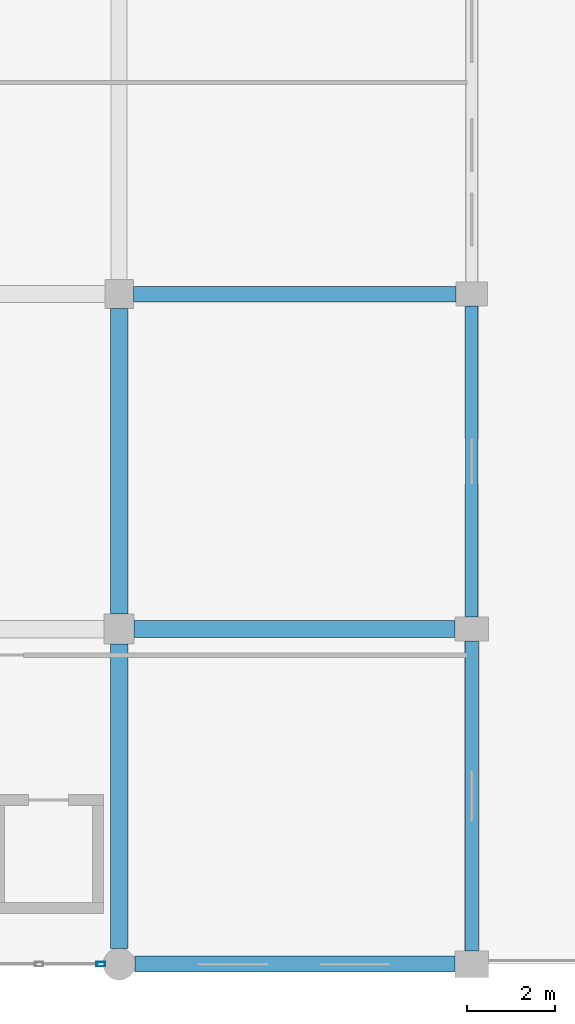
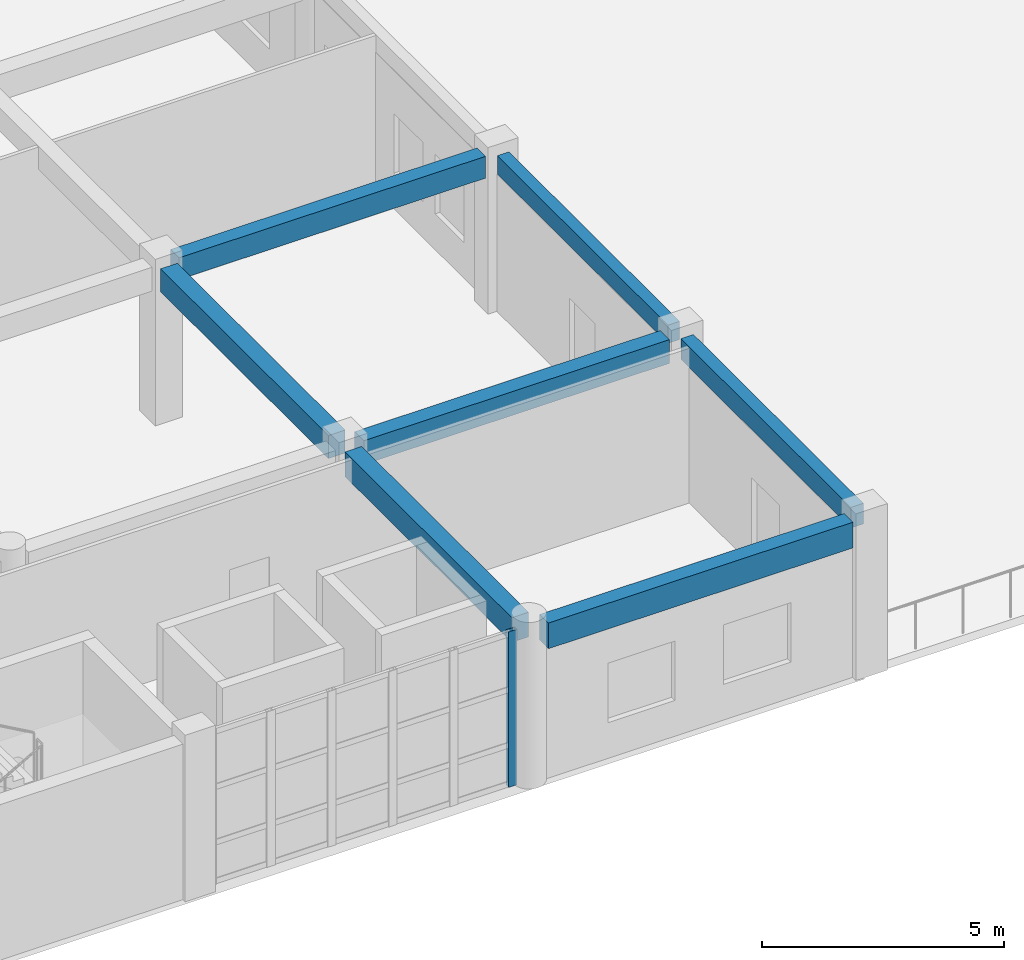
# One storey, part 120 of 195: 7 beams, 1 member, 1 element without a shape of its own.
"""IFC4 building model written with IfcOpenShell, lengths in metres."""

from ifc_helpers import new_model, si_unit, direction, frame, origin, origin_2d, place, context, subcontext, project, spatial, rectangle, hollow_rectangle, extrude, material, material_profile, profile_set, type_object, element, aggregate, save


model = new_model("IFC4")

# Units and contexts
model_context = context("Model", 3, precision=1e-05, world=origin(), true_north=direction((0.0, 1.0)))
body_context = subcontext(model_context, "Body", "Model", "MODEL_VIEW")
ifc_project = project(units=[si_unit("LENGTHUNIT", "METRE"), si_unit("AREAUNIT", "SQUARE_METRE"), si_unit("VOLUMEUNIT", "CUBIC_METRE"), si_unit("PLANEANGLEUNIT", "RADIAN"), si_unit("MASSUNIT", "GRAM", prefix="KILO")], contexts=[model_context])

# Site, building, storey
site_placement = place(None, origin())
site = spatial("IfcSite", under=ifc_project, at=site_placement, CompositionType="ELEMENT")
building_placement = place(site_placement, origin())
building = spatial("IfcBuilding", under=site, at=building_placement, Name="Kharva Crest Polytechnic", CompositionType="ELEMENT")
storey_placement = place(building_placement, frame((0.0, 0.0, 9.0)))
storey = spatial("IfcBuildingStorey", under=building, at=storey_placement, Name="L02", CompositionType="ELEMENT", Elevation=9.0)

# Beams
ifc_material_1 = material(Name="Concrete C35/45", Category="concrete")
ifc_material_profile_1 = material_profile(ifc_material_1, rectangle(XDim=0.35009765625, YDim=0.550048828125, at=origin_2d()), Name="RECT 350 X 550")
ifc_profile_set_1 = profile_set([ifc_material_profile_1], Name="Concrete C35/45")
beam_type_1 = type_object("IfcBeamType", Name="BM-RC-350X550", PredefinedType="BEAM", material=ifc_profile_set_1)
beam_1_placement = place(storey_placement, frame((145.125, 15.199951171875, 3.64501953125), z_axis=(1.0, 0.0, 0.0), x_axis=(0.0, 1.0, 0.0)))
element("IfcBeam", 1, at=beam_1_placement, inside=storey, type_object=beam_type_1, Name="L02 Beam C/19-20", PredefinedType="BEAM", context=body_context, shape_type="SweptSolid", body=[
    extrude(rectangle(XDim=0.35009765625, YDim=0.550048828125, at=origin_2d()), origin(), (0.0, 0.0, 1.0), 7.31494140625),
])
ifc_material_profile_2 = material_profile(ifc_material_1, rectangle(XDim=0.3798828125, YDim=0.60009765625, at=origin_2d()), Name="RECT 380 X 600")
ifc_profile_set_2 = profile_set([ifc_material_profile_2], Name="Concrete C35/45")
beam_type_2 = type_object("IfcBeamType", Name="BM-RC-380X600", PredefinedType="BEAM", material=ifc_profile_set_2)
beam_2_placement = place(storey_placement, frame((145.139892578125, 7.60009765625, 3.6201171875), z_axis=(1.0, 0.0, 0.0), x_axis=(0.0, 1.0, 0.0)))
element("IfcBeam", 2, at=beam_2_placement, inside=storey, type_object=beam_type_2, Name="L02 Beam B/19-20", PredefinedType="BEAM", context=body_context, shape_type="SweptSolid", body=[
    extrude(rectangle(XDim=0.3798828125, YDim=0.60009765625, at=origin_2d()), origin(), (0.0, 0.0, 1.0), 7.28515625),
])
ifc_material_profile_3 = material_profile(ifc_material_1, rectangle(XDim=0.39990234375, YDim=0.580078125, at=origin_2d()), Name="RECT 400 X 580")
ifc_profile_set_3 = profile_set([ifc_material_profile_3], Name="Concrete C35/45")
beam_type_3 = type_object("IfcBeamType", Name="BM-RC-400X580", PredefinedType="BEAM", material=ifc_profile_set_3)
beam_3_placement = place(storey_placement, frame((144.800048828125, 7.93994140625, 3.6298828125), z_axis=(0.0, 1.0, 0.0), x_axis=(-1.0, 0.0, 0.0)))
element("IfcBeam", 3, at=beam_3_placement, inside=storey, type_object=beam_type_3, Name="L02 Girder 19/B-C", PredefinedType="BEAM", context=body_context, shape_type="SweptSolid", body=[
    extrude(rectangle(XDim=0.39990234375, YDim=0.580078125, at=origin_2d()), origin(), (0.0, 0.0, 1.0), 6.93505859375),
])
ifc_material_profile_4 = material_profile(ifc_material_1, rectangle(XDim=0.39990234375, YDim=0.6201171875, at=origin_2d()), Name="RECT 400 X 620")
ifc_profile_set_4 = profile_set([ifc_material_profile_4], Name="Concrete C35/45")
beam_type_4 = type_object("IfcBeamType", Name="BM-RC-400X620", PredefinedType="BEAM", material=ifc_profile_set_4)
beam_4_placement = place(storey_placement, frame((144.800048828125, 0.360107421875, 3.610107421875), z_axis=(0.0, 1.0, 0.0), x_axis=(-1.0, 0.0, 0.0)))
element("IfcBeam", 4, at=beam_4_placement, inside=storey, type_object=beam_type_4, Name="L02 Girder 19/A-B", PredefinedType="BEAM", context=body_context, shape_type="SweptSolid", body=[
    extrude(rectangle(XDim=0.39990234375, YDim=0.6201171875, at=origin_2d()), origin(), (0.0, 0.0, 1.0), 6.89990234375),
])

# Curtain wall, member
ifc_material_2 = material(Name="Tempered insulated glass", Category="glass")
curtain_wall_type = type_object("IfcCurtainWallType", Name="CW-SYS-REFECTORY", PredefinedType="USERDEFINED", material=ifc_material_2)
curtain_wall_placement = place(storey_placement, origin())
curtain_wall = element("IfcCurtainWall", 5, at=curtain_wall_placement, inside=storey, type_object=curtain_wall_type, Name="L02 Glazed Curtain Wall CW-095", ObjectType="CURTAIN WALL", PredefinedType="USERDEFINED")
ifc_material_3 = material(Name="Steel S355", Category="steel")
ifc_material_profile_5 = material_profile(ifc_material_3, hollow_rectangle(XDim=0.10009765625, YDim=0.199951171875, WallThickness=0.00634765625, at=origin_2d()), Name="RHS 200X100X6.3")
ifc_profile_set_5 = profile_set([ifc_material_profile_5], Name="Steel S355")
member_type = type_object("IfcMemberType", Name="CWM-RHS200X100", PredefinedType="MULLION", material=ifc_profile_set_5)
member_placement = place(storey_placement, frame((144.385009765625, 0.0, 0.0), z_axis=(0.0, 0.0, 1.0), x_axis=(0.0, 1.0, 0.0)))
member = element("IfcMember", 6, at=member_placement, type_object=member_type, Name="CW-095 mullion 6", PredefinedType="MULLION", context=body_context, shape_type="SweptSolid", body=[
    extrude(hollow_rectangle(XDim=0.10009765625, YDim=0.199951171875, WallThickness=0.00634765625, at=origin_2d()), origin(), (0.0, 0.0, 1.0), 3.919921875),
])
aggregate(curtain_wall, [member])

# Beams
ifc_material_profile_6 = material_profile(ifc_material_1, rectangle(XDim=0.280029296875, YDim=0.4599609375, at=origin_2d()), Name="RECT 280 X 460")
ifc_profile_set_6 = profile_set([ifc_material_profile_6], Name="Concrete C35/45")
beam_type_5 = type_object("IfcBeamType", Name="SP-RC-280X460", PredefinedType="SPANDREL", material=ifc_profile_set_6)
beam_5_placement = place(storey_placement, frame((152.800048828125, 7.875, 3.68994140625), z_axis=(0.0, 1.0, 0.0), x_axis=(-1.0, 0.0, 0.0)))
element("IfcBeam", 7, at=beam_5_placement, inside=storey, type_object=beam_type_5, Name="L02 Girder 20/B-C", PredefinedType="SPANDREL", context=body_context, shape_type="SweptSolid", body=[
    extrude(rectangle(XDim=0.280029296875, YDim=0.4599609375, at=origin_2d()), origin(), (0.0, 0.0, 1.0), 7.050048828125),
])
ifc_material_profile_7 = material_profile(ifc_material_1, rectangle(XDim=0.300048828125, YDim=0.52001953125, at=origin_2d()), Name="RECT 300 X 520")
ifc_profile_set_7 = profile_set([ifc_material_profile_7], Name="Concrete C35/45")
beam_type_6 = type_object("IfcBeamType", Name="SP-RC-300X520", PredefinedType="SPANDREL", material=ifc_profile_set_7)
beam_6_placement = place(storey_placement, frame((152.800048828125, 0.300048828125, 3.659912109375), z_axis=(0.0, 1.0, 0.0), x_axis=(-1.0, 0.0, 0.0)))
element("IfcBeam", 8, at=beam_6_placement, inside=storey, type_object=beam_type_6, Name="L02 Girder 20/A-B", PredefinedType="SPANDREL", context=body_context, shape_type="SweptSolid", body=[
    extrude(rectangle(XDim=0.300048828125, YDim=0.52001953125, at=origin_2d()), origin(), (0.0, 0.0, 1.0), 7.02490234375),
])
ifc_material_profile_8 = material_profile(ifc_material_1, rectangle(XDim=0.360107421875, YDim=0.64990234375, at=origin_2d()), Name="RECT 360 X 650")
ifc_profile_set_8 = profile_set([ifc_material_profile_8], Name="Concrete C35/45")
beam_type_7 = type_object("IfcBeamType", Name="SP-RC-360X650", PredefinedType="SPANDREL", material=ifc_profile_set_8)
beam_7_placement = place(storey_placement, frame((145.159912109375, 0.0, 3.594970703125), z_axis=(1.0, 0.0, 0.0), x_axis=(0.0, 1.0, 0.0)))
element("IfcBeam", 9, at=beam_7_placement, inside=storey, type_object=beam_type_7, Name="L02 Beam A/19-20", PredefinedType="SPANDREL", context=body_context, shape_type="SweptSolid", body=[
    extrude(rectangle(XDim=0.360107421875, YDim=0.64990234375, at=origin_2d()), origin(), (0.0, 0.0, 1.0), 7.26513671875),
])

save(model, "model.ifc")
